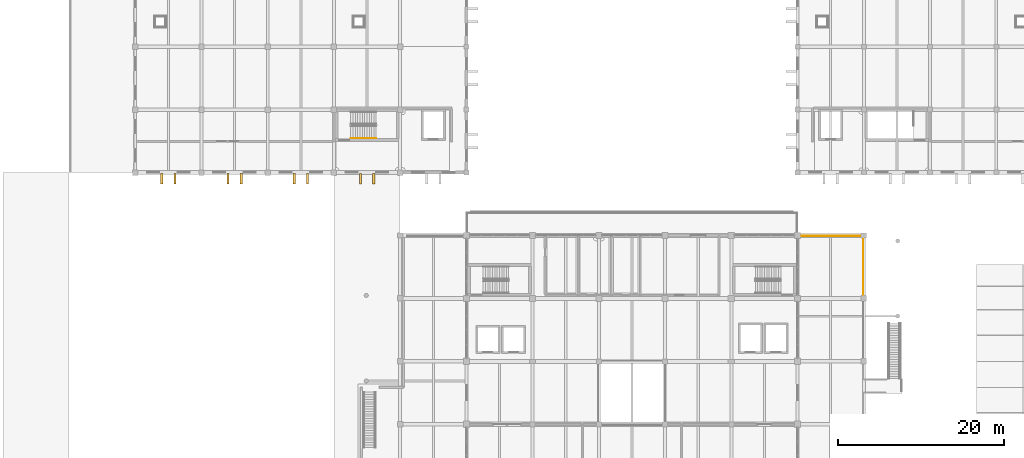
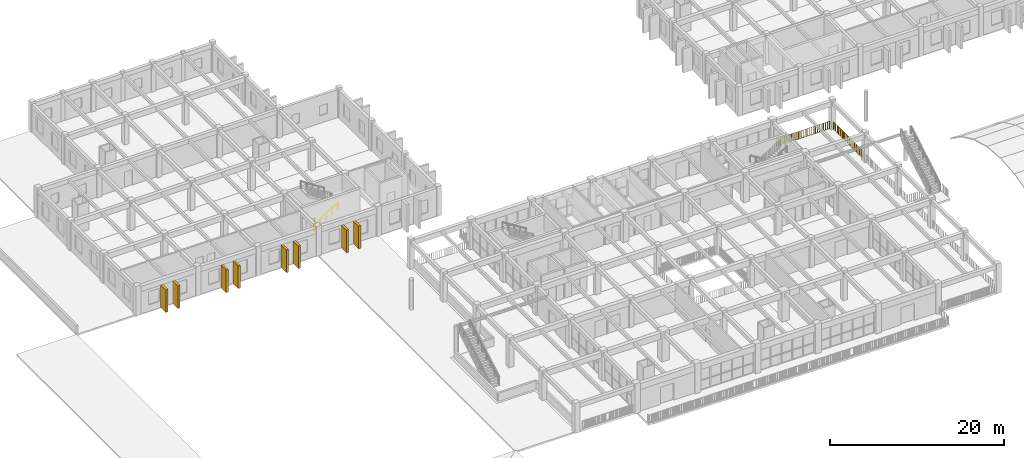
# One storey, part 61 of 63: 8 shading devices, 3 railings.
"""IFC4 building model written with IfcOpenShell, lengths in metres."""

from ifc_helpers import new_model, si_unit, direction, frame, origin, origin_2d, place, context, subcontext, project, spatial, rectangle, circle, extrude, material, type_object, element, save


model = new_model("IFC4")

# Units and contexts
model_context = context("Model", 3, precision=1e-05, world=origin(), true_north=direction((0.0, 1.0)))
body_context = subcontext(model_context, "Body", "Model", "MODEL_VIEW")
ifc_project = project(units=[si_unit("LENGTHUNIT", "METRE"), si_unit("AREAUNIT", "SQUARE_METRE"), si_unit("VOLUMEUNIT", "CUBIC_METRE"), si_unit("PLANEANGLEUNIT", "RADIAN"), si_unit("MASSUNIT", "GRAM", prefix="KILO")], contexts=[model_context])

# Site, building, storey
site_placement = place(None, origin())
site = spatial("IfcSite", under=ifc_project, at=site_placement, CompositionType="ELEMENT")
building_placement = place(site_placement, origin())
building = spatial("IfcBuilding", under=site, at=building_placement, Name="Zantavel Square City Hall", CompositionType="ELEMENT")
storey_placement = place(building_placement, frame((0.0, 0.0, 14.699951171875)))
storey = spatial("IfcBuildingStorey", under=building, at=storey_placement, Name="L04", CompositionType="ELEMENT", Elevation=14.699951171875)

# Shading devices
ifc_material_1 = material(Name="Cantera volcanic tuff stone", Category="masonry")
shading_device_type = type_object("IfcShadingDeviceType", Name="Cantera Vertical Solar Shading Pier 280x1240", PredefinedType="USERDEFINED", material=ifc_material_1)
for number, where, z_axis, x_axis, name in (
    (1, (52.800048828125, 75.239990234375, 0.0), (0.0, 0.0, 1.0), (1.0, 0.0, 0.0), "L04 Cantera Solar Pier 053"),
    (2, (51.199951171875, 75.239990234375, 0.0), (0.0, 0.0, 1.0), (1.0, 0.0, 0.0), "L04 Cantera Solar Pier 054"),
    (3, (44.800048828125, 75.239990234375, 0.0), (0.0, 0.0, 1.0), (1.0, 0.0, 0.0), "L04 Cantera Solar Pier 055"),
    (4, (43.199951171875, 75.239990234375, 0.0), (0.0, 0.0, 1.0), (1.0, 0.0, 0.0), "L04 Cantera Solar Pier 056"),
    (5, (36.800048828125, 75.239990234375, 0.0), (0.0, 0.0, 1.0), (1.0, 0.0, 0.0), "L04 Cantera Solar Pier 057"),
    (6, (35.199951171875, 75.239990234375, 0.0), (0.0, 0.0, 1.0), (1.0, 0.0, 0.0), "L04 Cantera Solar Pier 058"),
    (7, (28.800048828125, 75.239990234375, 0.0), (0.0, 0.0, 1.0), (1.0, 0.0, 0.0), "L04 Cantera Solar Pier 059"),
    (8, (27.199951171875, 75.239990234375, 0.0), (0.0, 0.0, 1.0), (1.0, 0.0, 0.0), "L04 Cantera Solar Pier 060"),
):
    element("IfcShadingDevice", number, at=place(storey_placement, frame(where, z_axis=z_axis, x_axis=x_axis)), inside=storey, type_object=shading_device_type, Name=name, ObjectType="FIN", PredefinedType="USERDEFINED", context=body_context, shape_type="SweptSolid", body=[
        extrude(rectangle(XDim=0.280029296875, YDim=1.239990234375, at=origin_2d()), origin(), (0.0, 0.0, 1.0), 3.169921875),
    ])

# Railings
ifc_material_2 = material(Name="Steel ASTM A500 Grade B", Category="steel")
railing_type_1 = type_object("IfcRailingType", Name="Classical Stone & Steel Terrace Balustrade 1100mm", PredefinedType="BALUSTRADE", material=ifc_material_2)
railing_1_placement = place(storey_placement, frame((104.4150390625, 68.330078125, 0.0)))
element("IfcRailing", 9, at=railing_1_placement, inside=storey, type_object=railing_type_1, Name="L04 Terrace Balustrade 040", PredefinedType="BALUSTRADE", context=body_context, shape_type="SweptSolid", body=[
    extrude(circle(Radius=0.02392578125, at=origin_2d()), frame((0.0, 0.0, 1.09619140625), z_axis=(1.0, 0.0, 0.0), x_axis=(0.0, 1.0, 0.0)), (0.0, 0.0, 1.0), 7.219970703125),
    extrude(rectangle(XDim=0.031982421875, YDim=0.031982421875, at=origin_2d()), frame((0.0, 0.0, 0.080078125), z_axis=(1.0, 0.0, 0.0), x_axis=(0.0, 1.0, 0.0)), (0.0, 0.0, 1.0), 7.219970703125),
    extrude(rectangle(XDim=0.02197265625, YDim=0.02197265625, at=origin_2d()), frame((0.089111328125, 0.0, 0.080078125)), (0.0, 0.0, 1.0), 0.991943359375),
    extrude(rectangle(XDim=0.02197265625, YDim=0.02197265625, at=origin_2d()), frame((0.17822265625, 0.0, 0.080078125)), (0.0, 0.0, 1.0), 0.991943359375),
    extrude(rectangle(XDim=0.02197265625, YDim=0.02197265625, at=origin_2d()), frame((0.267333984375, 0.0, 0.080078125)), (0.0, 0.0, 1.0), 0.991943359375),
    extrude(rectangle(XDim=0.02197265625, YDim=0.02197265625, at=origin_2d()), frame((0.3564453125, 0.0, 0.080078125)), (0.0, 0.0, 1.0), 0.991943359375),
    extrude(rectangle(XDim=0.02197265625, YDim=0.02197265625, at=origin_2d()), frame((0.445556640625, 0.0, 0.080078125)), (0.0, 0.0, 1.0), 0.991943359375),
    extrude(rectangle(XDim=0.02197265625, YDim=0.02197265625, at=origin_2d()), frame((0.534912109375, 0.0, 0.080078125)), (0.0, 0.0, 1.0), 0.991943359375),
    extrude(rectangle(XDim=0.02197265625, YDim=0.02197265625, at=origin_2d()), frame((0.6240234375, 0.0, 0.080078125)), (0.0, 0.0, 1.0), 0.991943359375),
    extrude(rectangle(XDim=0.02197265625, YDim=0.02197265625, at=origin_2d()), frame((0.713134765625, 0.0, 0.080078125)), (0.0, 0.0, 1.0), 0.991943359375),
    extrude(rectangle(XDim=0.02197265625, YDim=0.02197265625, at=origin_2d()), frame((0.80224609375, 0.0, 0.080078125)), (0.0, 0.0, 1.0), 0.991943359375),
    extrude(rectangle(XDim=0.02197265625, YDim=0.02197265625, at=origin_2d()), frame((0.891357421875, 0.0, 0.080078125)), (0.0, 0.0, 1.0), 0.991943359375),
    extrude(rectangle(XDim=0.02197265625, YDim=0.02197265625, at=origin_2d()), frame((0.98046875, 0.0, 0.080078125)), (0.0, 0.0, 1.0), 0.991943359375),
    extrude(rectangle(XDim=0.02197265625, YDim=0.02197265625, at=origin_2d()), frame((1.15869140625, 0.0, 0.080078125)), (0.0, 0.0, 1.0), 0.991943359375),
    extrude(rectangle(XDim=0.02197265625, YDim=0.02197265625, at=origin_2d()), frame((1.247802734375, 0.0, 0.080078125)), (0.0, 0.0, 1.0), 0.991943359375),
    extrude(rectangle(XDim=0.02197265625, YDim=0.02197265625, at=origin_2d()), frame((1.3369140625, 0.0, 0.080078125)), (0.0, 0.0, 1.0), 0.991943359375),
    extrude(rectangle(XDim=0.02197265625, YDim=0.02197265625, at=origin_2d()), frame((1.42626953125, 0.0, 0.080078125)), (0.0, 0.0, 1.0), 0.991943359375),
    extrude(rectangle(XDim=0.02197265625, YDim=0.02197265625, at=origin_2d()), frame((1.515380859375, 0.0, 0.080078125)), (0.0, 0.0, 1.0), 0.991943359375),
    extrude(rectangle(XDim=0.02197265625, YDim=0.02197265625, at=origin_2d()), frame((1.6044921875, 0.0, 0.080078125)), (0.0, 0.0, 1.0), 0.991943359375),
    extrude(rectangle(XDim=0.02197265625, YDim=0.02197265625, at=origin_2d()), frame((1.693603515625, 0.0, 0.080078125)), (0.0, 0.0, 1.0), 0.991943359375),
    extrude(rectangle(XDim=0.02197265625, YDim=0.02197265625, at=origin_2d()), frame((1.78271484375, 0.0, 0.080078125)), (0.0, 0.0, 1.0), 0.991943359375),
    extrude(rectangle(XDim=0.02197265625, YDim=0.02197265625, at=origin_2d()), frame((1.871826171875, 0.0, 0.080078125)), (0.0, 0.0, 1.0), 0.991943359375),
    extrude(rectangle(XDim=0.02197265625, YDim=0.02197265625, at=origin_2d()), frame((1.9609375, 0.0, 0.080078125)), (0.0, 0.0, 1.0), 0.991943359375),
    extrude(rectangle(XDim=0.02197265625, YDim=0.02197265625, at=origin_2d()), frame((2.13916015625, 0.0, 0.080078125)), (0.0, 0.0, 1.0), 0.991943359375),
    extrude(rectangle(XDim=0.02197265625, YDim=0.02197265625, at=origin_2d()), frame((2.228271484375, 0.0, 0.080078125)), (0.0, 0.0, 1.0), 0.991943359375),
    extrude(rectangle(XDim=0.02197265625, YDim=0.02197265625, at=origin_2d()), frame((2.317626953125, 0.0, 0.080078125)), (0.0, 0.0, 1.0), 0.991943359375),
    extrude(rectangle(XDim=0.02197265625, YDim=0.02197265625, at=origin_2d()), frame((2.40673828125, 0.0, 0.080078125)), (0.0, 0.0, 1.0), 0.991943359375),
    extrude(rectangle(XDim=0.02197265625, YDim=0.02197265625, at=origin_2d()), frame((2.495849609375, 0.0, 0.080078125)), (0.0, 0.0, 1.0), 0.991943359375),
    extrude(rectangle(XDim=0.02197265625, YDim=0.02197265625, at=origin_2d()), frame((2.5849609375, 0.0, 0.080078125)), (0.0, 0.0, 1.0), 0.991943359375),
    extrude(rectangle(XDim=0.02197265625, YDim=0.02197265625, at=origin_2d()), frame((2.674072265625, 0.0, 0.080078125)), (0.0, 0.0, 1.0), 0.991943359375),
    extrude(rectangle(XDim=0.02197265625, YDim=0.02197265625, at=origin_2d()), frame((2.76318359375, 0.0, 0.080078125)), (0.0, 0.0, 1.0), 0.991943359375),
    extrude(rectangle(XDim=0.02197265625, YDim=0.02197265625, at=origin_2d()), frame((2.852294921875, 0.0, 0.080078125)), (0.0, 0.0, 1.0), 0.991943359375),
    extrude(rectangle(XDim=0.02197265625, YDim=0.02197265625, at=origin_2d()), frame((2.94140625, 0.0, 0.080078125)), (0.0, 0.0, 1.0), 0.991943359375),
    extrude(rectangle(XDim=0.02197265625, YDim=0.02197265625, at=origin_2d()), frame((3.030517578125, 0.0, 0.080078125)), (0.0, 0.0, 1.0), 0.991943359375),
    extrude(rectangle(XDim=0.02197265625, YDim=0.02197265625, at=origin_2d()), frame((3.208984375, 0.0, 0.080078125)), (0.0, 0.0, 1.0), 0.991943359375),
    extrude(rectangle(XDim=0.02197265625, YDim=0.02197265625, at=origin_2d()), frame((3.298095703125, 0.0, 0.080078125)), (0.0, 0.0, 1.0), 0.991943359375),
    extrude(rectangle(XDim=0.02197265625, YDim=0.02197265625, at=origin_2d()), frame((3.38720703125, 0.0, 0.080078125)), (0.0, 0.0, 1.0), 0.991943359375),
    extrude(rectangle(XDim=0.02197265625, YDim=0.02197265625, at=origin_2d()), frame((3.476318359375, 0.0, 0.080078125)), (0.0, 0.0, 1.0), 0.991943359375),
    extrude(rectangle(XDim=0.02197265625, YDim=0.02197265625, at=origin_2d()), frame((3.5654296875, 0.0, 0.080078125)), (0.0, 0.0, 1.0), 0.991943359375),
    extrude(rectangle(XDim=0.02197265625, YDim=0.02197265625, at=origin_2d()), frame((3.654541015625, 0.0, 0.080078125)), (0.0, 0.0, 1.0), 0.991943359375),
    extrude(rectangle(XDim=0.02197265625, YDim=0.02197265625, at=origin_2d()), frame((3.74365234375, 0.0, 0.080078125)), (0.0, 0.0, 1.0), 0.991943359375),
    extrude(rectangle(XDim=0.02197265625, YDim=0.02197265625, at=origin_2d()), frame((3.832763671875, 0.0, 0.080078125)), (0.0, 0.0, 1.0), 0.991943359375),
    extrude(rectangle(XDim=0.02197265625, YDim=0.02197265625, at=origin_2d()), frame((3.921875, 0.0, 0.080078125)), (0.0, 0.0, 1.0), 0.991943359375),
    extrude(rectangle(XDim=0.02197265625, YDim=0.02197265625, at=origin_2d()), frame((4.010986328125, 0.0, 0.080078125)), (0.0, 0.0, 1.0), 0.991943359375),
    extrude(rectangle(XDim=0.02197265625, YDim=0.02197265625, at=origin_2d()), frame((4.189453125, 0.0, 0.080078125)), (0.0, 0.0, 1.0), 0.991943359375),
    extrude(rectangle(XDim=0.02197265625, YDim=0.02197265625, at=origin_2d()), frame((4.278564453125, 0.0, 0.080078125)), (0.0, 0.0, 1.0), 0.991943359375),
    extrude(rectangle(XDim=0.02197265625, YDim=0.02197265625, at=origin_2d()), frame((4.36767578125, 0.0, 0.080078125)), (0.0, 0.0, 1.0), 0.991943359375),
    extrude(rectangle(XDim=0.02197265625, YDim=0.02197265625, at=origin_2d()), frame((4.456787109375, 0.0, 0.080078125)), (0.0, 0.0, 1.0), 0.991943359375),
    extrude(rectangle(XDim=0.02197265625, YDim=0.02197265625, at=origin_2d()), frame((4.5458984375, 0.0, 0.080078125)), (0.0, 0.0, 1.0), 0.991943359375),
    extrude(rectangle(XDim=0.02197265625, YDim=0.02197265625, at=origin_2d()), frame((4.635009765625, 0.0, 0.080078125)), (0.0, 0.0, 1.0), 0.991943359375),
    extrude(rectangle(XDim=0.02197265625, YDim=0.02197265625, at=origin_2d()), frame((4.72412109375, 0.0, 0.080078125)), (0.0, 0.0, 1.0), 0.991943359375),
    extrude(rectangle(XDim=0.02197265625, YDim=0.02197265625, at=origin_2d()), frame((4.813232421875, 0.0, 0.080078125)), (0.0, 0.0, 1.0), 0.991943359375),
    extrude(rectangle(XDim=0.02197265625, YDim=0.02197265625, at=origin_2d()), frame((4.90234375, 0.0, 0.080078125)), (0.0, 0.0, 1.0), 0.991943359375),
    extrude(rectangle(XDim=0.02197265625, YDim=0.02197265625, at=origin_2d()), frame((4.99169921875, 0.0, 0.080078125)), (0.0, 0.0, 1.0), 0.991943359375),
    extrude(rectangle(XDim=0.02197265625, YDim=0.02197265625, at=origin_2d()), frame((5.080810546875, 0.0, 0.080078125)), (0.0, 0.0, 1.0), 0.991943359375),
    extrude(rectangle(XDim=0.02197265625, YDim=0.02197265625, at=origin_2d()), frame((5.259033203125, 0.0, 0.080078125)), (0.0, 0.0, 1.0), 0.991943359375),
    extrude(rectangle(XDim=0.02197265625, YDim=0.02197265625, at=origin_2d()), frame((5.34814453125, 0.0, 0.080078125)), (0.0, 0.0, 1.0), 0.991943359375),
    extrude(rectangle(XDim=0.02197265625, YDim=0.02197265625, at=origin_2d()), frame((5.437255859375, 0.0, 0.080078125)), (0.0, 0.0, 1.0), 0.991943359375),
    extrude(rectangle(XDim=0.02197265625, YDim=0.02197265625, at=origin_2d()), frame((5.5263671875, 0.0, 0.080078125)), (0.0, 0.0, 1.0), 0.991943359375),
    extrude(rectangle(XDim=0.02197265625, YDim=0.02197265625, at=origin_2d()), frame((5.615478515625, 0.0, 0.080078125)), (0.0, 0.0, 1.0), 0.991943359375),
    extrude(rectangle(XDim=0.02197265625, YDim=0.02197265625, at=origin_2d()), frame((5.70458984375, 0.0, 0.080078125)), (0.0, 0.0, 1.0), 0.991943359375),
    extrude(rectangle(XDim=0.02197265625, YDim=0.02197265625, at=origin_2d()), frame((5.793701171875, 0.0, 0.080078125)), (0.0, 0.0, 1.0), 0.991943359375),
    extrude(rectangle(XDim=0.02197265625, YDim=0.02197265625, at=origin_2d()), frame((5.883056640625, 0.0, 0.080078125)), (0.0, 0.0, 1.0), 0.991943359375),
    extrude(rectangle(XDim=0.02197265625, YDim=0.02197265625, at=origin_2d()), frame((5.97216796875, 0.0, 0.080078125)), (0.0, 0.0, 1.0), 0.991943359375),
    extrude(rectangle(XDim=0.02197265625, YDim=0.02197265625, at=origin_2d()), frame((6.061279296875, 0.0, 0.080078125)), (0.0, 0.0, 1.0), 0.991943359375),
    extrude(rectangle(XDim=0.02197265625, YDim=0.02197265625, at=origin_2d()), frame((6.239501953125, 0.0, 0.080078125)), (0.0, 0.0, 1.0), 0.991943359375),
    extrude(rectangle(XDim=0.02197265625, YDim=0.02197265625, at=origin_2d()), frame((6.32861328125, 0.0, 0.080078125)), (0.0, 0.0, 1.0), 0.991943359375),
    extrude(rectangle(XDim=0.02197265625, YDim=0.02197265625, at=origin_2d()), frame((6.417724609375, 0.0, 0.080078125)), (0.0, 0.0, 1.0), 0.991943359375),
    extrude(rectangle(XDim=0.02197265625, YDim=0.02197265625, at=origin_2d()), frame((6.5068359375, 0.0, 0.080078125)), (0.0, 0.0, 1.0), 0.991943359375),
    extrude(rectangle(XDim=0.02197265625, YDim=0.02197265625, at=origin_2d()), frame((6.595947265625, 0.0, 0.080078125)), (0.0, 0.0, 1.0), 0.991943359375),
    extrude(rectangle(XDim=0.02197265625, YDim=0.02197265625, at=origin_2d()), frame((6.68505859375, 0.0, 0.080078125)), (0.0, 0.0, 1.0), 0.991943359375),
    extrude(rectangle(XDim=0.02197265625, YDim=0.02197265625, at=origin_2d()), frame((6.7744140625, 0.0, 0.080078125)), (0.0, 0.0, 1.0), 0.991943359375),
    extrude(rectangle(XDim=0.02197265625, YDim=0.02197265625, at=origin_2d()), frame((6.863525390625, 0.0, 0.080078125)), (0.0, 0.0, 1.0), 0.991943359375),
    extrude(rectangle(XDim=0.02197265625, YDim=0.02197265625, at=origin_2d()), frame((6.95263671875, 0.0, 0.080078125)), (0.0, 0.0, 1.0), 0.991943359375),
    extrude(rectangle(XDim=0.02197265625, YDim=0.02197265625, at=origin_2d()), frame((7.041748046875, 0.0, 0.080078125)), (0.0, 0.0, 1.0), 0.991943359375),
    extrude(rectangle(XDim=0.02197265625, YDim=0.02197265625, at=origin_2d()), frame((7.130859375, 0.0, 0.080078125)), (0.0, 0.0, 1.0), 0.991943359375),
    extrude(circle(Radius=0.02099609375, at=origin_2d()), origin(), (0.0, 0.0, 1.0), 1.072021484375),
    extrude(circle(Radius=0.02099609375, at=origin_2d()), frame((1.031494140625, 0.0, 0.0)), (0.0, 0.0, 1.0), 1.072021484375),
    extrude(circle(Radius=0.02099609375, at=origin_2d()), frame((2.062744140625, 0.0, 0.0)), (0.0, 0.0, 1.0), 1.072021484375),
    extrude(circle(Radius=0.02099609375, at=origin_2d()), frame((3.09423828125, 0.0, 0.0)), (0.0, 0.0, 1.0), 1.072021484375),
    extrude(circle(Radius=0.02099609375, at=origin_2d()), frame((4.125732421875, 0.0, 0.0)), (0.0, 0.0, 1.0), 1.072021484375),
    extrude(circle(Radius=0.02099609375, at=origin_2d()), frame((5.1572265625, 0.0, 0.0)), (0.0, 0.0, 1.0), 1.072021484375),
    extrude(circle(Radius=0.02099609375, at=origin_2d()), frame((6.1884765625, 0.0, 0.0)), (0.0, 0.0, 1.0), 1.072021484375),
    extrude(circle(Radius=0.02099609375, at=origin_2d()), frame((7.219970703125, 0.0, 0.0)), (0.0, 0.0, 1.0), 1.072021484375),
])
railing_2_placement = place(storey_placement, frame((111.929931640625, 68.034912109375, 0.0)))
element("IfcRailing", 10, at=railing_2_placement, inside=storey, type_object=railing_type_1, Name="L04 Terrace Balustrade 046", PredefinedType="BALUSTRADE", context=body_context, shape_type="SweptSolid", body=[
    extrude(circle(Radius=0.02392578125, at=origin_2d()), frame((0.0, 0.0, 1.09619140625), z_axis=(0.0, -1.0, 0.0), x_axis=(1.0, 0.0, 0.0)), (0.0, 0.0, 1.0), 6.869873046875),
    extrude(rectangle(XDim=0.031982421875, YDim=0.031982421875, at=origin_2d()), frame((0.0, 0.0, 0.080078125), z_axis=(0.0, -1.0, 0.0), x_axis=(1.0, 0.0, 0.0)), (0.0, 0.0, 1.0), 6.869873046875),
    extrude(rectangle(XDim=0.02197265625, YDim=0.02197265625, at=origin_2d()), frame((0.0, -0.089111328125, 0.080078125)), (0.0, 0.0, 1.0), 0.991943359375),
    extrude(rectangle(XDim=0.02197265625, YDim=0.02197265625, at=origin_2d()), frame((0.0, -0.178466796875, 0.080078125)), (0.0, 0.0, 1.0), 0.991943359375),
    extrude(rectangle(XDim=0.02197265625, YDim=0.02197265625, at=origin_2d()), frame((0.0, -0.267578125, 0.080078125)), (0.0, 0.0, 1.0), 0.991943359375),
    extrude(rectangle(XDim=0.02197265625, YDim=0.02197265625, at=origin_2d()), frame((0.0, -0.35693359375, 0.080078125)), (0.0, 0.0, 1.0), 0.991943359375),
    extrude(rectangle(XDim=0.02197265625, YDim=0.02197265625, at=origin_2d()), frame((0.0, -0.446044921875, 0.080078125)), (0.0, 0.0, 1.0), 0.991943359375),
    extrude(rectangle(XDim=0.02197265625, YDim=0.02197265625, at=origin_2d()), frame((0.0, -0.535400390625, 0.080078125)), (0.0, 0.0, 1.0), 0.991943359375),
    extrude(rectangle(XDim=0.02197265625, YDim=0.02197265625, at=origin_2d()), frame((0.0, -0.62451171875, 0.080078125)), (0.0, 0.0, 1.0), 0.991943359375),
    extrude(rectangle(XDim=0.02197265625, YDim=0.02197265625, at=origin_2d()), frame((0.0, -0.7138671875, 0.080078125)), (0.0, 0.0, 1.0), 0.991943359375),
    extrude(rectangle(XDim=0.02197265625, YDim=0.02197265625, at=origin_2d()), frame((0.0, -0.802978515625, 0.080078125)), (0.0, 0.0, 1.0), 0.991943359375),
    extrude(rectangle(XDim=0.02197265625, YDim=0.02197265625, at=origin_2d()), frame((0.0, -0.89208984375, 0.080078125)), (0.0, 0.0, 1.0), 0.991943359375),
    extrude(rectangle(XDim=0.02197265625, YDim=0.02197265625, at=origin_2d()), frame((0.0, -0.9814453125, 0.080078125)), (0.0, 0.0, 1.0), 0.991943359375),
    extrude(rectangle(XDim=0.02197265625, YDim=0.02197265625, at=origin_2d()), frame((0.0, -1.070556640625, 0.080078125)), (0.0, 0.0, 1.0), 0.991943359375),
    extrude(rectangle(XDim=0.02197265625, YDim=0.02197265625, at=origin_2d()), frame((0.0, -1.2490234375, 0.080078125)), (0.0, 0.0, 1.0), 0.991943359375),
    extrude(rectangle(XDim=0.02197265625, YDim=0.02197265625, at=origin_2d()), frame((0.0, -1.33837890625, 0.080078125)), (0.0, 0.0, 1.0), 0.991943359375),
    extrude(rectangle(XDim=0.02197265625, YDim=0.02197265625, at=origin_2d()), frame((0.0, -1.427490234375, 0.080078125)), (0.0, 0.0, 1.0), 0.991943359375),
    extrude(rectangle(XDim=0.02197265625, YDim=0.02197265625, at=origin_2d()), frame((0.0, -1.516845703125, 0.080078125)), (0.0, 0.0, 1.0), 0.991943359375),
    extrude(rectangle(XDim=0.02197265625, YDim=0.02197265625, at=origin_2d()), frame((0.0, -1.60595703125, 0.080078125)), (0.0, 0.0, 1.0), 0.991943359375),
    extrude(rectangle(XDim=0.02197265625, YDim=0.02197265625, at=origin_2d()), frame((0.0, -1.695068359375, 0.080078125)), (0.0, 0.0, 1.0), 0.991943359375),
    extrude(rectangle(XDim=0.02197265625, YDim=0.02197265625, at=origin_2d()), frame((0.0, -1.784423828125, 0.080078125)), (0.0, 0.0, 1.0), 0.991943359375),
    extrude(rectangle(XDim=0.02197265625, YDim=0.02197265625, at=origin_2d()), frame((0.0, -1.87353515625, 0.080078125)), (0.0, 0.0, 1.0), 0.991943359375),
    extrude(rectangle(XDim=0.02197265625, YDim=0.02197265625, at=origin_2d()), frame((0.0, -1.962890625, 0.080078125)), (0.0, 0.0, 1.0), 0.991943359375),
    extrude(rectangle(XDim=0.02197265625, YDim=0.02197265625, at=origin_2d()), frame((0.0, -2.052001953125, 0.080078125)), (0.0, 0.0, 1.0), 0.991943359375),
    extrude(rectangle(XDim=0.02197265625, YDim=0.02197265625, at=origin_2d()), frame((0.0, -2.141357421875, 0.080078125)), (0.0, 0.0, 1.0), 0.991943359375),
    extrude(rectangle(XDim=0.02197265625, YDim=0.02197265625, at=origin_2d()), frame((0.0, -2.23046875, 0.080078125)), (0.0, 0.0, 1.0), 0.991943359375),
    extrude(rectangle(XDim=0.02197265625, YDim=0.02197265625, at=origin_2d()), frame((0.0, -2.408935546875, 0.080078125)), (0.0, 0.0, 1.0), 0.991943359375),
    extrude(rectangle(XDim=0.02197265625, YDim=0.02197265625, at=origin_2d()), frame((0.0, -2.498046875, 0.080078125)), (0.0, 0.0, 1.0), 0.991943359375),
    extrude(rectangle(XDim=0.02197265625, YDim=0.02197265625, at=origin_2d()), frame((0.0, -2.58740234375, 0.080078125)), (0.0, 0.0, 1.0), 0.991943359375),
    extrude(rectangle(XDim=0.02197265625, YDim=0.02197265625, at=origin_2d()), frame((0.0, -2.676513671875, 0.080078125)), (0.0, 0.0, 1.0), 0.991943359375),
    extrude(rectangle(XDim=0.02197265625, YDim=0.02197265625, at=origin_2d()), frame((0.0, -2.765869140625, 0.080078125)), (0.0, 0.0, 1.0), 0.991943359375),
    extrude(rectangle(XDim=0.02197265625, YDim=0.02197265625, at=origin_2d()), frame((0.0, -2.85498046875, 0.080078125)), (0.0, 0.0, 1.0), 0.991943359375),
    extrude(rectangle(XDim=0.02197265625, YDim=0.02197265625, at=origin_2d()), frame((0.0, -2.9443359375, 0.080078125)), (0.0, 0.0, 1.0), 0.991943359375),
    extrude(rectangle(XDim=0.02197265625, YDim=0.02197265625, at=origin_2d()), frame((0.0, -3.033447265625, 0.080078125)), (0.0, 0.0, 1.0), 0.991943359375),
    extrude(rectangle(XDim=0.02197265625, YDim=0.02197265625, at=origin_2d()), frame((0.0, -3.12255859375, 0.080078125)), (0.0, 0.0, 1.0), 0.991943359375),
    extrude(rectangle(XDim=0.02197265625, YDim=0.02197265625, at=origin_2d()), frame((0.0, -3.2119140625, 0.080078125)), (0.0, 0.0, 1.0), 0.991943359375),
    extrude(rectangle(XDim=0.02197265625, YDim=0.02197265625, at=origin_2d()), frame((0.0, -3.301025390625, 0.080078125)), (0.0, 0.0, 1.0), 0.991943359375),
    extrude(rectangle(XDim=0.02197265625, YDim=0.02197265625, at=origin_2d()), frame((0.0, -3.56884765625, 0.080078125)), (0.0, 0.0, 1.0), 0.991943359375),
    extrude(rectangle(XDim=0.02197265625, YDim=0.02197265625, at=origin_2d()), frame((0.0, -3.657958984375, 0.080078125)), (0.0, 0.0, 1.0), 0.991943359375),
    extrude(rectangle(XDim=0.02197265625, YDim=0.02197265625, at=origin_2d()), frame((0.0, -3.747314453125, 0.080078125)), (0.0, 0.0, 1.0), 0.991943359375),
    extrude(rectangle(XDim=0.02197265625, YDim=0.02197265625, at=origin_2d()), frame((0.0, -3.83642578125, 0.080078125)), (0.0, 0.0, 1.0), 0.991943359375),
    extrude(rectangle(XDim=0.02197265625, YDim=0.02197265625, at=origin_2d()), frame((0.0, -3.925537109375, 0.080078125)), (0.0, 0.0, 1.0), 0.991943359375),
    extrude(rectangle(XDim=0.02197265625, YDim=0.02197265625, at=origin_2d()), frame((0.0, -4.014892578125, 0.080078125)), (0.0, 0.0, 1.0), 0.991943359375),
    extrude(rectangle(XDim=0.02197265625, YDim=0.02197265625, at=origin_2d()), frame((0.0, -4.10400390625, 0.080078125)), (0.0, 0.0, 1.0), 0.991943359375),
    extrude(rectangle(XDim=0.02197265625, YDim=0.02197265625, at=origin_2d()), frame((0.0, -4.193359375, 0.080078125)), (0.0, 0.0, 1.0), 0.991943359375),
    extrude(rectangle(XDim=0.02197265625, YDim=0.02197265625, at=origin_2d()), frame((0.0, -4.282470703125, 0.080078125)), (0.0, 0.0, 1.0), 0.991943359375),
    extrude(rectangle(XDim=0.02197265625, YDim=0.02197265625, at=origin_2d()), frame((0.0, -4.371826171875, 0.080078125)), (0.0, 0.0, 1.0), 0.991943359375),
    extrude(rectangle(XDim=0.02197265625, YDim=0.02197265625, at=origin_2d()), frame((0.0, -4.4609375, 0.080078125)), (0.0, 0.0, 1.0), 0.991943359375),
    extrude(rectangle(XDim=0.02197265625, YDim=0.02197265625, at=origin_2d()), frame((0.0, -4.639404296875, 0.080078125)), (0.0, 0.0, 1.0), 0.991943359375),
    extrude(rectangle(XDim=0.02197265625, YDim=0.02197265625, at=origin_2d()), frame((0.0, -4.728515625, 0.080078125)), (0.0, 0.0, 1.0), 0.991943359375),
    extrude(rectangle(XDim=0.02197265625, YDim=0.02197265625, at=origin_2d()), frame((0.0, -4.81787109375, 0.080078125)), (0.0, 0.0, 1.0), 0.991943359375),
    extrude(rectangle(XDim=0.02197265625, YDim=0.02197265625, at=origin_2d()), frame((0.0, -4.906982421875, 0.080078125)), (0.0, 0.0, 1.0), 0.991943359375),
    extrude(rectangle(XDim=0.02197265625, YDim=0.02197265625, at=origin_2d()), frame((0.0, -4.996337890625, 0.080078125)), (0.0, 0.0, 1.0), 0.991943359375),
    extrude(rectangle(XDim=0.02197265625, YDim=0.02197265625, at=origin_2d()), frame((0.0, -5.08544921875, 0.080078125)), (0.0, 0.0, 1.0), 0.991943359375),
    extrude(rectangle(XDim=0.02197265625, YDim=0.02197265625, at=origin_2d()), frame((0.0, -5.1748046875, 0.080078125)), (0.0, 0.0, 1.0), 0.991943359375),
    extrude(rectangle(XDim=0.02197265625, YDim=0.02197265625, at=origin_2d()), frame((0.0, -5.263916015625, 0.080078125)), (0.0, 0.0, 1.0), 0.991943359375),
    extrude(rectangle(XDim=0.02197265625, YDim=0.02197265625, at=origin_2d()), frame((0.0, -5.35302734375, 0.080078125)), (0.0, 0.0, 1.0), 0.991943359375),
    extrude(rectangle(XDim=0.02197265625, YDim=0.02197265625, at=origin_2d()), frame((0.0, -5.4423828125, 0.080078125)), (0.0, 0.0, 1.0), 0.991943359375),
    extrude(rectangle(XDim=0.02197265625, YDim=0.02197265625, at=origin_2d()), frame((0.0, -5.531494140625, 0.080078125)), (0.0, 0.0, 1.0), 0.991943359375),
    extrude(rectangle(XDim=0.02197265625, YDim=0.02197265625, at=origin_2d()), frame((0.0, -5.620849609375, 0.080078125)), (0.0, 0.0, 1.0), 0.991943359375),
    extrude(rectangle(XDim=0.02197265625, YDim=0.02197265625, at=origin_2d()), frame((0.0, -5.79931640625, 0.080078125)), (0.0, 0.0, 1.0), 0.991943359375),
    extrude(rectangle(XDim=0.02197265625, YDim=0.02197265625, at=origin_2d()), frame((0.0, -5.888427734375, 0.080078125)), (0.0, 0.0, 1.0), 0.991943359375),
    extrude(rectangle(XDim=0.02197265625, YDim=0.02197265625, at=origin_2d()), frame((0.0, -5.977783203125, 0.080078125)), (0.0, 0.0, 1.0), 0.991943359375),
    extrude(rectangle(XDim=0.02197265625, YDim=0.02197265625, at=origin_2d()), frame((0.0, -6.06689453125, 0.080078125)), (0.0, 0.0, 1.0), 0.991943359375),
    extrude(rectangle(XDim=0.02197265625, YDim=0.02197265625, at=origin_2d()), frame((0.0, -6.156005859375, 0.080078125)), (0.0, 0.0, 1.0), 0.991943359375),
    extrude(rectangle(XDim=0.02197265625, YDim=0.02197265625, at=origin_2d()), frame((0.0, -6.245361328125, 0.080078125)), (0.0, 0.0, 1.0), 0.991943359375),
    extrude(rectangle(XDim=0.02197265625, YDim=0.02197265625, at=origin_2d()), frame((0.0, -6.33447265625, 0.080078125)), (0.0, 0.0, 1.0), 0.991943359375),
    extrude(rectangle(XDim=0.02197265625, YDim=0.02197265625, at=origin_2d()), frame((0.0, -6.423828125, 0.080078125)), (0.0, 0.0, 1.0), 0.991943359375),
    extrude(rectangle(XDim=0.02197265625, YDim=0.02197265625, at=origin_2d()), frame((0.0, -6.512939453125, 0.080078125)), (0.0, 0.0, 1.0), 0.991943359375),
    extrude(rectangle(XDim=0.02197265625, YDim=0.02197265625, at=origin_2d()), frame((0.0, -6.602294921875, 0.080078125)), (0.0, 0.0, 1.0), 0.991943359375),
    extrude(rectangle(XDim=0.02197265625, YDim=0.02197265625, at=origin_2d()), frame((0.0, -6.69140625, 0.080078125)), (0.0, 0.0, 1.0), 0.991943359375),
    extrude(rectangle(XDim=0.02197265625, YDim=0.02197265625, at=origin_2d()), frame((0.0, -6.78076171875, 0.080078125)), (0.0, 0.0, 1.0), 0.991943359375),
    extrude(circle(Radius=0.02099609375, at=origin_2d()), origin(), (0.0, 0.0, 1.0), 1.072021484375),
    extrude(circle(Radius=0.02099609375, at=origin_2d()), frame((0.0, -1.14501953125, 0.0)), (0.0, 0.0, 1.0), 1.072021484375),
    extrude(circle(Radius=0.02099609375, at=origin_2d()), frame((0.0, -2.2900390625, 0.0)), (0.0, 0.0, 1.0), 1.072021484375),
    extrude(circle(Radius=0.02099609375, at=origin_2d()), frame((0.0, -3.43505859375, 0.0)), (0.0, 0.0, 1.0), 1.072021484375),
    extrude(circle(Radius=0.02099609375, at=origin_2d()), frame((0.0, -4.579833984375, 0.0)), (0.0, 0.0, 1.0), 1.072021484375),
    extrude(circle(Radius=0.02099609375, at=origin_2d()), frame((0.0, -5.724853515625, 0.0)), (0.0, 0.0, 1.0), 1.072021484375),
    extrude(circle(Radius=0.02099609375, at=origin_2d()), frame((0.0, -6.869873046875, 0.0)), (0.0, 0.0, 1.0), 1.072021484375),
])
ifc_material_3 = material(Name="Stainless steel 316", Category="steel")
railing_type_2 = type_object("IfcRailingType", Name="Stair Stainless Steel Handrail 900mm", PredefinedType="HANDRAIL", material=ifc_material_3)
railing_3_placement = place(storey_placement, frame((50.030029296875, 80.14990234375, 0.175048828125)))
element("IfcRailing", 11, at=railing_3_placement, inside=storey, type_object=railing_type_2, Name="L04 ST1 stair handrail 1", PredefinedType="HANDRAIL", context=body_context, shape_type="SweptSolid", body=[
    extrude(circle(Radius=0.02392578125, at=origin_2d()), frame((0.0, 0.0, 0.8759765625), z_axis=(0.847998304005, 0.0, 0.529998940003), x_axis=(0.0, 1.0, 0.0)), (0.0, 0.0, 1.0), 3.632080078125),
    extrude(circle(Radius=0.02099609375, at=origin_2d()), origin(), (0.0, 0.0, 1.0), 0.851806640625),
    extrude(circle(Radius=0.02099609375, at=origin_2d()), frame((0.77001953125, 0.0, 0.481201171875)), (0.0, 0.0, 1.0), 0.851806640625),
    extrude(circle(Radius=0.02099609375, at=origin_2d()), frame((1.5400390625, 0.0, 0.96240234375)), (0.0, 0.0, 1.0), 0.851806640625),
    extrude(circle(Radius=0.02099609375, at=origin_2d()), frame((2.31005859375, 0.0, 1.44384765625)), (0.0, 0.0, 1.0), 0.851806640625),
    extrude(circle(Radius=0.02099609375, at=origin_2d()), frame((3.080078125, 0.0, 1.925048828125)), (0.0, 0.0, 1.0), 0.851806640625),
])

save(model, "model.ifc")
